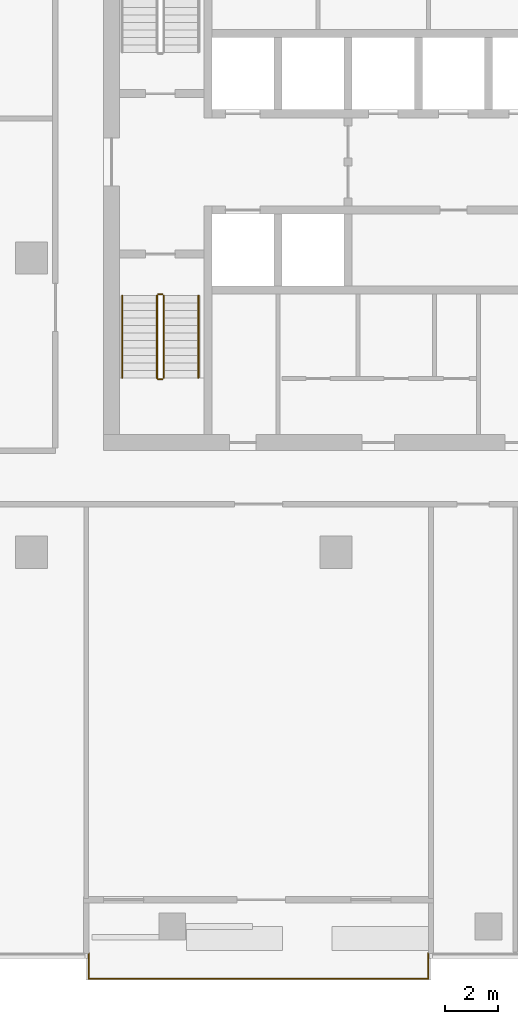
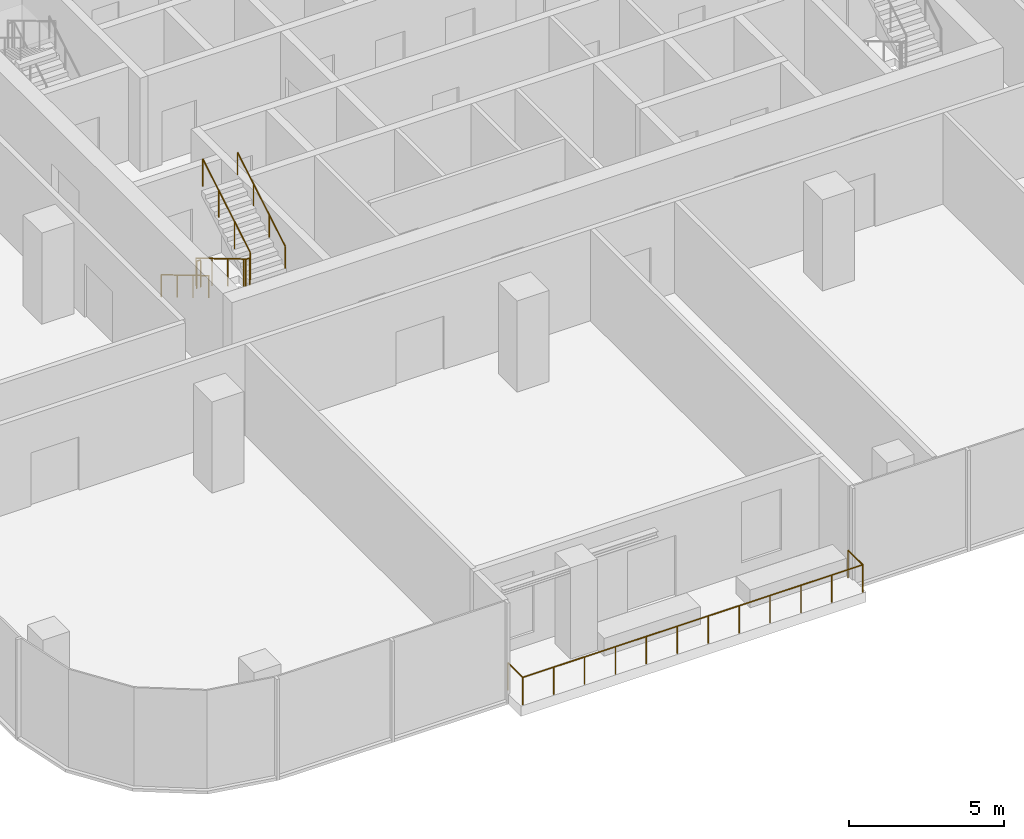
# One storey, part 11 of 13: 6 railings.
"""IFC4 building model written with IfcOpenShell, lengths in metres."""

import ifcopenshell
import ifcopenshell.guid

model = None  # the IFC model being written
_history = None  # IfcOwnerHistory: only IFC2X3 demands one
_inside = {}  # id of a spatial element -> (the spatial element, [elements in it])
_under = {}  # id of a project, library or spatial element -> (it, [spatial elements below it])
_declared = {}  # id of a project -> (the project, [libraries it declares])
_typed = {}  # id of a type object -> (the type object, [elements of that type])
_made_of = {}  # id of a material, layer set ... -> (it, [elements and type objects made of it])


def new_model(schema):
    """Start an empty IFC model of exactly this schema.

    Asked for "IFC4X3", IfcOpenShell would pick the latest addendum, in which some entities
    have other attributes; the version numbers below select the first issue.
    IFC2X3 requires an IfcOwnerHistory on every rooted entity: one is made here for all.
    """
    global model, _history
    if schema == "IFC4X3":
        model = ifcopenshell.file(schema_version=(4, 3, 0, 0))
    else:
        model = ifcopenshell.file(schema=schema)
    _inside.clear()
    _under.clear()
    _declared.clear()
    _typed.clear()
    _made_of.clear()
    _history = None
    if model.schema == "IFC2X3":
        org = make("IfcOrganization", Name="unknown")
        user = make(
            "IfcPersonAndOrganization",
            ThePerson=make("IfcPerson", FamilyName="unknown"),
            TheOrganization=org,
        )
        app = make(
            "IfcApplication",
            ApplicationDeveloper=org,
            Version="unknown",
            ApplicationFullName="unknown",
            ApplicationIdentifier="unknown",
        )
        _history = make(
            "IfcOwnerHistory",
            OwningUser=user,
            OwningApplication=app,
            ChangeAction="ADDED",
            CreationDate=0,
        )
    return model


def make(cls, **values):
    """One entity of the class cls with the attributes given. An attribute that is None is left unset."""
    return model.create_entity(
        cls, **{name: value for name, value in values.items() if value is not None}
    )


def rooted(cls, **values):
    """An entity with a GlobalId (a new one), such as an element, a storey or a relation."""
    return make(cls, GlobalId=ifcopenshell.guid.new(), OwnerHistory=_history, **values)


def si_unit(unit_type, name, prefix=None):
    """IfcSIUnit, for example si_unit("LENGTHUNIT", "METRE", prefix="MILLI")."""
    return make("IfcSIUnit", UnitType=unit_type, Prefix=prefix, Name=name)


def assignment(units):
    """IfcUnitAssignment: the units of a project."""
    return None if units is None else make("IfcUnitAssignment", Units=units)


def point(xyz):
    """IfcCartesianPoint."""
    return None if xyz is None else make("IfcCartesianPoint", Coordinates=xyz)


def direction(xyz):
    """IfcDirection."""
    return None if xyz is None else make("IfcDirection", DirectionRatios=xyz)


def frame(location, z_axis=None, x_axis=None):
    """IfcAxis2Placement3D, a coordinate frame: its origin and axes. An axis left out is left unset."""
    return make(
        "IfcAxis2Placement3D",
        Location=point(location),
        Axis=direction(z_axis),
        RefDirection=direction(x_axis),
    )


def frame_2d(location, x_axis=None):
    """IfcAxis2Placement2D, a coordinate frame in the plane: its origin and x axis."""
    return make(
        "IfcAxis2Placement2D", Location=point(location), RefDirection=direction(x_axis)
    )


def origin():
    """The frame at (0, 0, 0) with its axes left unset."""
    return frame((0.0, 0.0, 0.0))


def origin_2d():
    """The frame at (0, 0) in the plane with its x axis left unset."""
    return frame_2d((0.0, 0.0))


def place(relative_to, where):
    """IfcLocalPlacement: puts the frame where relative to a parent placement (None: the world)."""
    return make(
        "IfcLocalPlacement", PlacementRelTo=relative_to, RelativePlacement=where
    )


def context(
    kind, dimensions, precision=None, world=None, true_north=None, identifier=None
):
    """IfcGeometricRepresentationContext, for example the 3D "Model" context."""
    return make(
        "IfcGeometricRepresentationContext",
        ContextIdentifier=identifier,
        ContextType=kind,
        CoordinateSpaceDimension=dimensions,
        Precision=precision,
        WorldCoordinateSystem=world,
        TrueNorth=true_north,
    )


def subcontext(parent, identifier, kind, view, scale=None):
    """IfcGeometricRepresentationSubContext, for example "Body" below "Model"."""
    return make(
        "IfcGeometricRepresentationSubContext",
        ContextIdentifier=identifier,
        ContextType=kind,
        ParentContext=parent,
        TargetScale=scale,
        TargetView=view,
    )


def project(units=None, contexts=None):
    """IfcProject with its units and contexts."""
    return rooted(
        "IfcProject",
        Name="project",
        RepresentationContexts=contexts,
        UnitsInContext=assignment(units),
    )


def spatial(cls, under=None, at=None, **own):
    """A site, building, storey or space (cls), placed at a placement, below another one or the project."""
    s = rooted(cls, ObjectPlacement=at, **own)
    if under is not None:
        _under.setdefault(under.id(), (under, []))[1].append(s)
    return s


def profile(cls, at=None, kind="AREA", **sizes):
    """A parametric profile (cls). Its sizes go by their IFC names, for example OverallWidth=200.0."""
    return make(cls, ProfileType=kind, Position=at, **sizes)


def circle(**sizes):
    """IfcCircleProfileDef."""
    return profile("IfcCircleProfileDef", **sizes)


def extrude(swept, where, along, depth):
    """IfcExtrudedAreaSolid: the profile swept, set in the frame where, extruded along a direction by depth."""
    return make(
        "IfcExtrudedAreaSolid",
        SweptArea=swept,
        Position=where,
        ExtrudedDirection=direction(along),
        Depth=depth,
    )


def shape(context_of_items, identifier, shape_type, items):
    """IfcShapeRepresentation: the items that make up one representation, for example the "Body"."""
    return make(
        "IfcShapeRepresentation",
        ContextOfItems=context_of_items,
        RepresentationIdentifier=identifier,
        RepresentationType=shape_type,
        Items=items,
    )


def material(Name=None, Category=None):
    """IfcMaterial."""
    return make("IfcMaterial", Name=Name, Category=Category)


def made_of(thing, what):
    """Note that an element or type object is made of a material, layer set ...; save() writes the relation."""
    if what is not None:
        _made_of.setdefault(what.id(), (what, []))[1].append(thing)
    return thing


def type_object(cls, material=None, **own):
    """A type object (cls), such as IfcWallType, which elements share."""
    return made_of(rooted(cls, **own), material)


def element(
    cls,
    number,
    at=None,
    inside=None,
    cuts=None,
    type_object=None,
    material=None,
    context=None,
    identifier="Body",
    shape_type=None,
    held_by="IfcProductDefinitionShape",
    body=None,
    shapes=None,
    **own,
):
    """One element of the class cls, such as IfcWall. Its Tag is "e" and its number.

    at: its placement. inside: the storey or other place that contains it. cuts: it is an
    opening in that element (IfcRelVoidsElement). A single representation is given by context,
    identifier, shape_type and body (its items); several are given by shapes. held_by: the class
    of the entity that holds the representations. save() writes the other relations.
    """
    e = rooted(cls, Tag="e%d" % number, ObjectPlacement=at, **own)
    if body is not None:
        shapes = [shape(context, identifier, shape_type, body)]
    if shapes is not None:
        e.Representation = make(held_by, Representations=shapes)
    if inside is not None:
        _inside.setdefault(inside.id(), (inside, []))[1].append(e)
    if cuts is not None:
        rooted(
            "IfcRelVoidsElement", RelatingBuildingElement=cuts, RelatedOpeningElement=e
        )
    if type_object is not None:
        _typed.setdefault(type_object.id(), (type_object, []))[1].append(e)
    return made_of(e, material)


def aggregate(whole, parts):
    """IfcRelAggregates: a whole, such as a stair, and the parts it consists of."""
    return rooted("IfcRelAggregates", RelatingObject=whole, RelatedObjects=parts)


def save(model, path):
    """Write the relations noted so far, then the file.

    IfcRelAggregates (storeys below a building ...), IfcRelContainedInSpatialStructure (elements
    in a storey), IfcRelDefinesByType, IfcRelAssociatesMaterial and IfcRelDeclares: one each for
    every whole, place, type object, material and project.
    """
    for whole, parts in _under.values():
        aggregate(whole, parts)
    for where, things in _inside.values():
        rooted(
            "IfcRelContainedInSpatialStructure",
            RelatedElements=things,
            RelatingStructure=where,
        )
    for kind, things in _typed.values():
        rooted("IfcRelDefinesByType", RelatedObjects=things, RelatingType=kind)
    for what, things in _made_of.values():
        rooted("IfcRelAssociatesMaterial", RelatedObjects=things, RelatingMaterial=what)
    for by, libraries in _declared.values():
        rooted("IfcRelDeclares", RelatingContext=by, RelatedDefinitions=libraries)
    model.write(path)


model = new_model("IFC4")

# Units and contexts
model_context = context("Model", 3, precision=1e-05, world=origin(), true_north=direction((0.0, 1.0)))
body_context = subcontext(model_context, "Body", "Model", "MODEL_VIEW")
ifc_project = project(units=[si_unit("LENGTHUNIT", "METRE"), si_unit("AREAUNIT", "SQUARE_METRE"), si_unit("VOLUMEUNIT", "CUBIC_METRE"), si_unit("PLANEANGLEUNIT", "RADIAN"), si_unit("MASSUNIT", "GRAM", prefix="KILO")], contexts=[model_context])

# Site, building, storey
site_placement = place(None, origin())
site = spatial("IfcSite", under=ifc_project, at=site_placement, CompositionType="ELEMENT")
building_placement = place(site_placement, origin())
building = spatial("IfcBuilding", under=site, at=building_placement, Name="Mopane Tessera Tower", CompositionType="ELEMENT")
storey_placement = place(building_placement, frame((0.0, 0.0, 295.39990234375)))
storey = spatial("IfcBuildingStorey", under=building, at=storey_placement, Name="L64", CompositionType="ELEMENT", Elevation=295.39990234375)

# Railings
ifc_material_1 = material(Name="Powder-coated steel balustrade", Category="steel")
railing_type_1 = type_object("IfcRailingType", Name="Escape stair guard 1100 mm", PredefinedType="GUARDRAIL", material=ifc_material_1)
railing_1_placement = place(storey_placement, frame((-12.39990234375, -1.39990234375, 0.166748046875)))
element("IfcRailing", 1, at=railing_1_placement, inside=storey, type_object=railing_type_1, Name="L64 ST1 stair guard 1", PredefinedType="GUARDRAIL", context=body_context, shape_type="SweptSolid", body=[
    extrude(circle(Radius=0.02392578125, at=origin_2d()), frame((0.0, 0.0, 1.076171875), z_axis=(0.0, -0.859308565015, 0.511457515432), x_axis=(1.0, 0.0, 0.0)), (0.0, 0.0, 1.0), 3.58447265625),
    extrude(circle(Radius=0.02392578125, at=origin_2d()), frame((0.0, -3.080078125, 2.9091796875), z_axis=(0.705375805398, -0.708833529934, 0.0), x_axis=(0.708833529934, 0.705375805398, 0.0)), (0.0, 0.0, 1.0), 0.070556640625),
    extrude(circle(Radius=0.02392578125, at=origin_2d()), frame((0.0498046875, -3.130126953125, 2.9091796875), z_axis=(1.0, 0.0, 0.0), x_axis=(0.0, 1.0, 0.0)), (0.0, 0.0, 1.0), 0.150146484375),
    extrude(circle(Radius=0.02099609375, at=origin_2d()), origin(), (0.0, 0.0, 1.0), 1.052001953125),
    extrude(circle(Radius=0.02099609375, at=origin_2d()), frame((0.0, -1.026611328125, 0.611083984375)), (0.0, 0.0, 1.0), 1.052001953125),
    extrude(circle(Radius=0.02099609375, at=origin_2d()), frame((0.0, -2.053466796875, 1.22216796875)), (0.0, 0.0, 1.0), 1.052001953125),
    extrude(circle(Radius=0.02099609375, at=origin_2d()), frame((0.0, -3.080078125, 1.833251953125)), (0.0, 0.0, 1.0), 1.052001953125),
    extrude(circle(Radius=0.02099609375, at=origin_2d()), frame((0.0498046875, -3.130126953125, 1.833251953125)), (0.0, 0.0, 1.0), 1.052001953125),
    extrude(circle(Radius=0.02099609375, at=origin_2d()), frame((0.199951171875, -3.130126953125, 1.833251953125)), (0.0, 0.0, 1.0), 1.052001953125),
])
railing_2_placement = place(storey_placement, frame((-12.14990234375, -4.47998046875, 2.166748046875)))
element("IfcRailing", 2, at=railing_2_placement, inside=storey, type_object=railing_type_1, Name="L64 ST1 stair guard 2", PredefinedType="GUARDRAIL", context=body_context, shape_type="SweptSolid", body=[
    extrude(circle(Radius=0.02392578125, at=origin_2d()), frame((0.0, 0.0, 1.076171875), z_axis=(0.0, 0.859308565015, 0.511457515432), x_axis=(-1.0, 0.0, 0.0)), (0.0, 0.0, 1.0), 3.58447265625),
    extrude(circle(Radius=0.02099609375, at=origin_2d()), origin(), (0.0, 0.0, 1.0), 1.052001953125),
    extrude(circle(Radius=0.02099609375, at=origin_2d()), frame((0.0, 1.026611328125, 0.611083984375)), (0.0, 0.0, 1.0), 1.052001953125),
    extrude(circle(Radius=0.02099609375, at=origin_2d()), frame((0.0, 2.053466796875, 1.22216796875)), (0.0, 0.0, 1.0), 1.052001953125),
    extrude(circle(Radius=0.02099609375, at=origin_2d()), frame((0.0, 3.080078125, 1.833251953125)), (0.0, 0.0, 1.0), 1.052001953125),
])
railing_3_placement = place(storey_placement, frame((-12.35009765625, -1.35009765625, 0.0)))
element("IfcRailing", 3, at=railing_3_placement, inside=storey, type_object=railing_type_1, Name="L64 ST1 stair guard 3", PredefinedType="GUARDRAIL", context=body_context, shape_type="SweptSolid", body=[
    extrude(circle(Radius=0.02392578125, at=origin_2d()), frame((0.0, 0.0, 1.076171875), z_axis=(1.0, 0.0, 0.0), x_axis=(0.0, 1.0, 0.0)), (0.0, 0.0, 1.0), 0.150146484375),
    extrude(circle(Radius=0.02099609375, at=origin_2d()), origin(), (0.0, 0.0, 1.0), 1.052001953125),
    extrude(circle(Radius=0.02099609375, at=origin_2d()), frame((0.150146484375, 0.0, 0.0)), (0.0, 0.0, 1.0), 1.052001953125),
])
ifc_material_2 = material(Name="Powder-coated steel balustrade", Category="steel")
railing_type_2 = type_object("IfcRailingType", Name="Escape stair handrail 900 mm", PredefinedType="HANDRAIL", material=ifc_material_2)
railing_4_placement = place(storey_placement, frame((-13.699951171875, -1.39990234375, 0.166748046875)))
element("IfcRailing", 4, at=railing_4_placement, inside=storey, type_object=railing_type_2, Name="L64 ST1 stair handrail 1", PredefinedType="HANDRAIL", context=body_context, shape_type="SweptSolid", body=[
    extrude(circle(Radius=0.02392578125, at=origin_2d()), frame((0.0, 0.0, 0.8759765625), z_axis=(0.0, -0.859308565015, 0.511457515432), x_axis=(1.0, 0.0, 0.0)), (0.0, 0.0, 1.0), 3.58447265625),
    extrude(circle(Radius=0.02099609375, at=origin_2d()), origin(), (0.0, 0.0, 1.0), 0.851806640625),
    extrude(circle(Radius=0.02099609375, at=origin_2d()), frame((0.0, -1.026611328125, 0.611083984375)), (0.0, 0.0, 1.0), 0.851806640625),
    extrude(circle(Radius=0.02099609375, at=origin_2d()), frame((0.0, -2.053466796875, 1.22216796875)), (0.0, 0.0, 1.0), 0.851806640625),
    extrude(circle(Radius=0.02099609375, at=origin_2d()), frame((0.0, -3.080078125, 1.833251953125)), (0.0, 0.0, 1.0), 0.851806640625),
])
railing_5_placement = place(storey_placement, frame((-10.85009765625, -4.47998046875, 2.166748046875)))
element("IfcRailing", 5, at=railing_5_placement, inside=storey, type_object=railing_type_2, Name="L64 ST1 stair handrail 2", PredefinedType="HANDRAIL", context=body_context, shape_type="SweptSolid", body=[
    extrude(circle(Radius=0.02392578125, at=origin_2d()), frame((0.0, 0.0, 0.8759765625), z_axis=(0.0, 0.859308565015, 0.511457515432), x_axis=(-1.0, 0.0, 0.0)), (0.0, 0.0, 1.0), 3.58447265625),
    extrude(circle(Radius=0.02099609375, at=origin_2d()), origin(), (0.0, 0.0, 1.0), 0.851806640625),
    extrude(circle(Radius=0.02099609375, at=origin_2d()), frame((0.0, 1.026611328125, 0.611083984375)), (0.0, 0.0, 1.0), 0.851806640625),
    extrude(circle(Radius=0.02099609375, at=origin_2d()), frame((0.0, 2.053466796875, 1.22216796875)), (0.0, 0.0, 1.0), 0.851806640625),
    extrude(circle(Radius=0.02099609375, at=origin_2d()), frame((0.0, 3.080078125, 1.833251953125)), (0.0, 0.0, 1.0), 0.851806640625),
])
ifc_material_3 = material(Name="Stainless steel S316", Category="steel")
railing_type_3 = type_object("IfcRailingType", Name="Terrace guard 1100", PredefinedType="GUARDRAIL", material=ifc_material_3)
railing_6_placement = place(storey_placement, frame((-14.949951171875, -26.0, 0.0)))
element("IfcRailing", 6, at=railing_6_placement, inside=storey, type_object=railing_type_3, Name="e:nw:L64:N3:guard", PredefinedType="GUARDRAIL", context=body_context, shape_type="SweptSolid", body=[
    extrude(circle(Radius=0.02392578125, at=origin_2d()), frame((0.0, 0.0, 1.076171875), z_axis=(0.0, -1.0, 0.0), x_axis=(1.0, 0.0, 0.0)), (0.0, 0.0, 1.0), 0.949951171875),
    extrude(circle(Radius=0.02392578125, at=origin_2d()), frame((0.0, -0.949951171875, 1.076171875), z_axis=(1.0, 0.0, 0.0), x_axis=(0.0, 1.0, 0.0)), (0.0, 0.0, 1.0), 12.699951171875),
    extrude(circle(Radius=0.02392578125, at=origin_2d()), frame((12.699951171875, -0.949951171875, 1.076171875), z_axis=(0.0, 1.0, 0.0), x_axis=(-1.0, 0.0, 0.0)), (0.0, 0.0, 1.0), 0.949951171875),
    extrude(circle(Radius=0.02099609375, at=origin_2d()), origin(), (0.0, 0.0, 1.0), 1.052001953125),
    extrude(circle(Radius=0.02099609375, at=origin_2d()), frame((0.0, -0.949951171875, 0.0)), (0.0, 0.0, 1.0), 1.052001953125),
    extrude(circle(Radius=0.02099609375, at=origin_2d()), frame((1.154541015625, -0.949951171875, 0.0)), (0.0, 0.0, 1.0), 1.052001953125),
    extrude(circle(Radius=0.02099609375, at=origin_2d()), frame((2.30908203125, -0.949951171875, 0.0)), (0.0, 0.0, 1.0), 1.052001953125),
    extrude(circle(Radius=0.02099609375, at=origin_2d()), frame((3.463623046875, -0.949951171875, 0.0)), (0.0, 0.0, 1.0), 1.052001953125),
    extrude(circle(Radius=0.02099609375, at=origin_2d()), frame((4.6181640625, -0.949951171875, 0.0)), (0.0, 0.0, 1.0), 1.052001953125),
    extrude(circle(Radius=0.02099609375, at=origin_2d()), frame((5.772705078125, -0.949951171875, 0.0)), (0.0, 0.0, 1.0), 1.052001953125),
    extrude(circle(Radius=0.02099609375, at=origin_2d()), frame((6.92724609375, -0.949951171875, 0.0)), (0.0, 0.0, 1.0), 1.052001953125),
    extrude(circle(Radius=0.02099609375, at=origin_2d()), frame((8.081787109375, -0.949951171875, 0.0)), (0.0, 0.0, 1.0), 1.052001953125),
    extrude(circle(Radius=0.02099609375, at=origin_2d()), frame((9.236328125, -0.949951171875, 0.0)), (0.0, 0.0, 1.0), 1.052001953125),
    extrude(circle(Radius=0.02099609375, at=origin_2d()), frame((10.390869140625, -0.949951171875, 0.0)), (0.0, 0.0, 1.0), 1.052001953125),
    extrude(circle(Radius=0.02099609375, at=origin_2d()), frame((11.54541015625, -0.949951171875, 0.0)), (0.0, 0.0, 1.0), 1.052001953125),
    extrude(circle(Radius=0.02099609375, at=origin_2d()), frame((12.699951171875, -0.949951171875, 0.0)), (0.0, 0.0, 1.0), 1.052001953125),
    extrude(circle(Radius=0.02099609375, at=origin_2d()), frame((12.699951171875, 0.0, 0.0)), (0.0, 0.0, 1.0), 1.052001953125),
])

save(model, "model.ifc")
